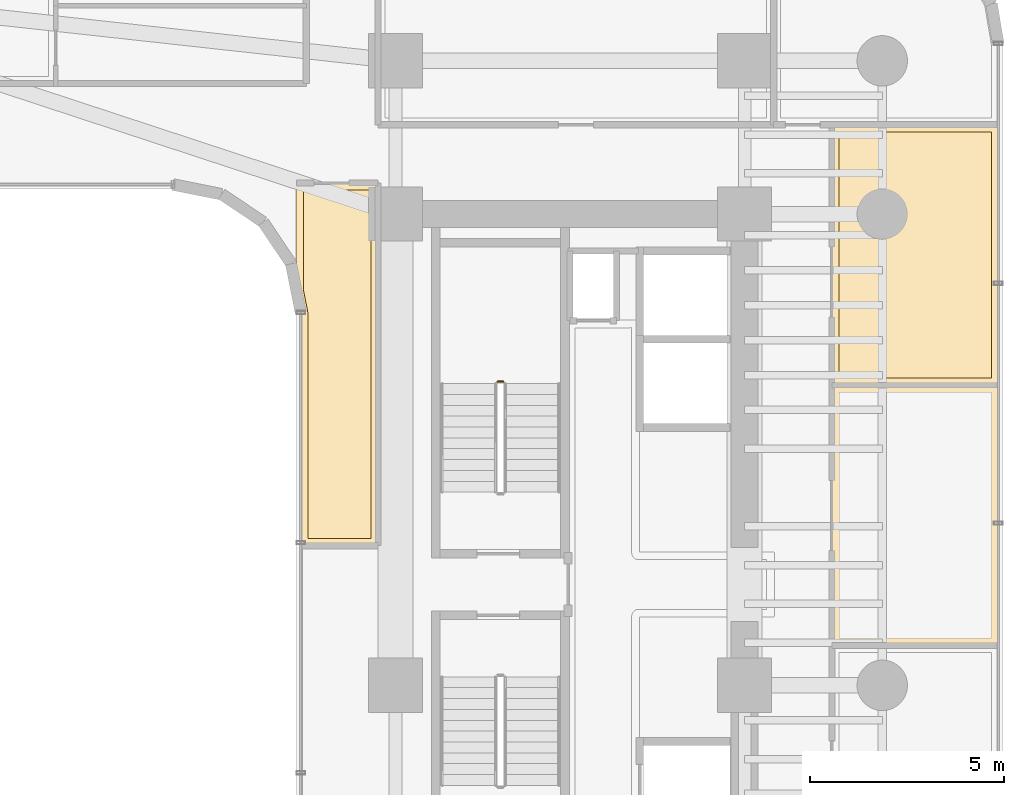
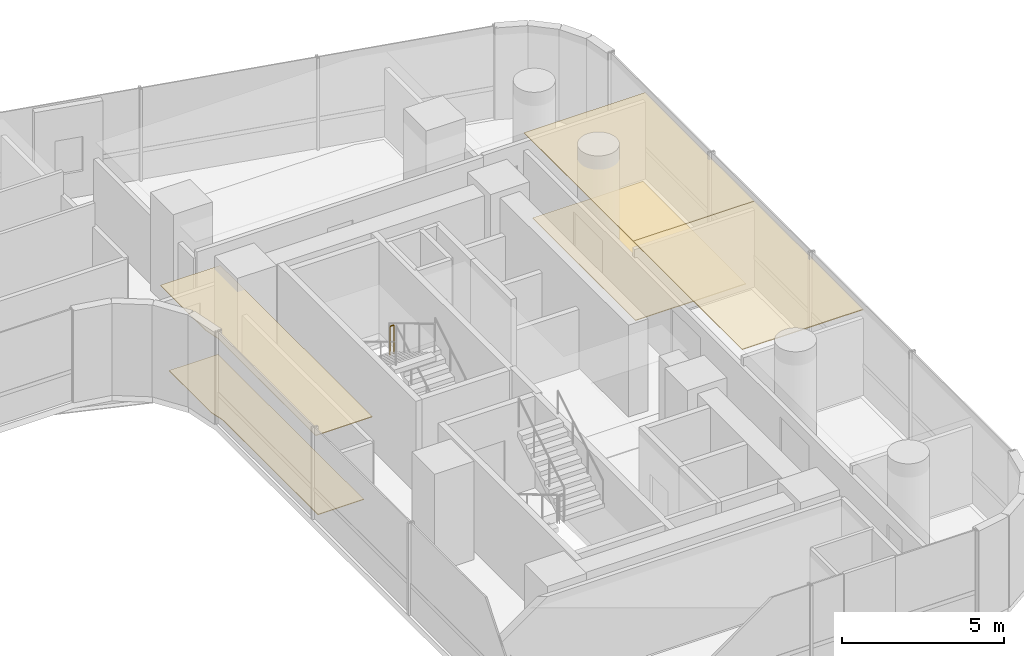
# One storey, part 38 of 40: 5 coverings, 1 railing.
"""IFC4 building model written with IfcOpenShell, lengths in metres."""

from ifc_helpers import new_model, si_unit, direction, frame, origin, origin_2d, place, context, subcontext, project, spatial, polyline, circle, outline, extrude, material, layer, layer_set, type_object, element, save


model = new_model("IFC4")

# Units and contexts
model_context = context("Model", 3, precision=1e-05, world=origin(), true_north=direction((0.0, 1.0)))
body_context = subcontext(model_context, "Body", "Model", "MODEL_VIEW")
ifc_project = project(units=[si_unit("LENGTHUNIT", "METRE"), si_unit("AREAUNIT", "SQUARE_METRE"), si_unit("VOLUMEUNIT", "CUBIC_METRE"), si_unit("PLANEANGLEUNIT", "RADIAN"), si_unit("MASSUNIT", "GRAM", prefix="KILO")], contexts=[model_context])

# Site, building, storey
site_placement = place(None, origin())
site = spatial("IfcSite", under=ifc_project, at=site_placement, CompositionType="ELEMENT")
building_placement = place(site_placement, origin())
building = spatial("IfcBuilding", under=site, at=building_placement, Name="Valdorenza Pilgrim Sanctuary Tower", CompositionType="ELEMENT")
storey_placement = place(building_placement, frame((0.0, 0.0, 44.5)))
storey = spatial("IfcBuildingStorey", under=building, at=storey_placement, Name="L10", CompositionType="ELEMENT", Elevation=44.5)

# Coverings
ifc_material_1 = material(Name="Micro-perforated acoustic mineral ceiling tile", Category="gypsum")
ifc_layer_1 = layer(ifc_material_1, 0.02490234375, Name="Micro-perforated acoustic mineral ceiling tile")
ifc_layer_set_1 = layer_set([ifc_layer_1], Name="Micro-perforated acoustic mineral ceiling tile")
covering_type_1 = type_object("IfcCoveringType", Name="COV-CLG-ACU", PredefinedType="CEILING", material=ifc_layer_set_1)
covering_1_placement = place(storey_placement, frame((0.0, 0.0, 3.159912109375)))
element("IfcCovering", 1, at=covering_1_placement, inside=storey, type_object=covering_type_1, Name="L10 East Reading Lounge L10-EB3 Acoustic Ceiling", PredefinedType="CEILING", context=body_context, shape_type="SweptSolid", body=[
    extrude(outline(polyline([(27.0849609375, 5.137451171875), (27.085205078125, 5.138916015625), (27.085205078125, 5.140380859375), (27.085693359375, 5.141845703125), (27.086181640625, 5.143310546875), (27.0869140625, 5.14453125), (27.08740234375, 5.145751953125), (27.08837890625, 5.14697265625), (27.08935546875, 5.148193359375), (27.090576171875, 5.149169921875), (27.091796875, 5.14990234375), (27.093017578125, 5.150634765625), (27.09423828125, 5.1513671875), (27.095703125, 5.15185546875), (27.09716796875, 5.152099609375), (27.098388671875, 5.15234375), (27.10009765625, 5.152587890625), (31.389892578125, 5.152587890625), (31.3916015625, 5.15234375), (31.392822265625, 5.152099609375), (31.394287109375, 5.15185546875), (31.395751953125, 5.1513671875), (31.397216796875, 5.150634765625), (31.398193359375, 5.14990234375), (31.3994140625, 5.149169921875), (31.400634765625, 5.148193359375), (31.401611328125, 5.14697265625), (31.402587890625, 5.145751953125), (31.4033203125, 5.14453125), (31.40380859375, 5.143310546875), (31.404296875, 5.141845703125), (31.40478515625, 5.140380859375), (31.40478515625, 5.138916015625), (31.405029296875, 5.137451171875), (31.405029296875, -1.572998046875), (31.40478515625, -1.574462890625), (31.40478515625, -1.575927734375), (31.404296875, -1.577392578125), (31.40380859375, -1.57861328125), (31.4033203125, -1.580078125), (31.402587890625, -1.581298828125), (31.401611328125, -1.58251953125), (31.400634765625, -1.58349609375), (31.3994140625, -1.584716796875), (31.398193359375, -1.58544921875), (31.397216796875, -1.586181640625), (31.395751953125, -1.5869140625), (31.394287109375, -1.58740234375), (31.392822265625, -1.587646484375), (31.3916015625, -1.587890625), (31.389892578125, -1.587890625), (27.10009765625, -1.587890625), (27.098388671875, -1.587890625), (27.09716796875, -1.587646484375), (27.095703125, -1.58740234375), (27.09423828125, -1.5869140625), (27.093017578125, -1.586181640625), (27.091796875, -1.58544921875), (27.090576171875, -1.584716796875), (27.08935546875, -1.58349609375), (27.08837890625, -1.58251953125), (27.08740234375, -1.581298828125), (27.0869140625, -1.580078125), (27.086181640625, -1.57861328125), (27.085693359375, -1.577392578125), (27.085205078125, -1.575927734375), (27.085205078125, -1.574462890625), (27.0849609375, -1.572998046875), (27.0849609375, 5.137451171875)])), origin(), (0.0, 0.0, 1.0), 0.025146484375),
])
covering_2_placement = place(storey_placement, frame((0.0, 0.0, 3.159912109375)))
element("IfcCovering", 2, at=covering_2_placement, inside=storey, type_object=covering_type_1, Name="L10 East Reading Lounge L10-EB4 Acoustic Ceiling", PredefinedType="CEILING", context=body_context, shape_type="SweptSolid", body=[
    extrude(outline(polyline([(27.0849609375, 11.847900390625), (27.085205078125, 11.849609375), (27.085205078125, 11.850830078125), (27.085693359375, 11.852294921875), (27.086181640625, 11.853759765625), (27.0869140625, 11.85498046875), (27.08740234375, 11.856201171875), (27.08837890625, 11.857421875), (27.08935546875, 11.858642578125), (27.090576171875, 11.859619140625), (27.091796875, 11.860595703125), (27.093017578125, 11.861083984375), (27.09423828125, 11.86181640625), (27.095703125, 11.8623046875), (27.09716796875, 11.86279296875), (27.098388671875, 11.86279296875), (27.10009765625, 11.863037109375), (31.389892578125, 11.863037109375), (31.3916015625, 11.86279296875), (31.392822265625, 11.86279296875), (31.394287109375, 11.8623046875), (31.395751953125, 11.86181640625), (31.397216796875, 11.861083984375), (31.398193359375, 11.860595703125), (31.3994140625, 11.859619140625), (31.400634765625, 11.858642578125), (31.401611328125, 11.857421875), (31.402587890625, 11.856201171875), (31.4033203125, 11.85498046875), (31.40380859375, 11.853759765625), (31.404296875, 11.852294921875), (31.40478515625, 11.850830078125), (31.40478515625, 11.849609375), (31.405029296875, 11.847900390625), (31.405029296875, 5.139404296875), (31.40478515625, 5.137939453125), (31.40478515625, 5.13671875), (31.404296875, 5.135009765625), (31.40380859375, 5.1337890625), (31.4033203125, 5.13232421875), (31.402587890625, 5.131103515625), (31.401611328125, 5.1298828125), (31.400634765625, 5.12890625), (31.3994140625, 5.1279296875), (31.398193359375, 5.126953125), (31.397216796875, 5.126220703125), (31.395751953125, 5.12548828125), (31.394287109375, 5.125), (31.392822265625, 5.124755859375), (31.3916015625, 5.12451171875), (31.389892578125, 5.12451171875), (27.10009765625, 5.12451171875), (27.098388671875, 5.12451171875), (27.09716796875, 5.124755859375), (27.095703125, 5.125), (27.09423828125, 5.12548828125), (27.093017578125, 5.126220703125), (27.091796875, 5.126953125), (27.090576171875, 5.1279296875), (27.08935546875, 5.12890625), (27.08837890625, 5.1298828125), (27.08740234375, 5.131103515625), (27.0869140625, 5.13232421875), (27.086181640625, 5.1337890625), (27.085693359375, 5.135009765625), (27.085205078125, 5.13671875), (27.085205078125, 5.137939453125), (27.0849609375, 5.139404296875), (27.0849609375, 11.847900390625)])), origin(), (0.0, 0.0, 1.0), 0.025146484375),
])
covering_3_placement = place(storey_placement, frame((0.0, 0.0, 3.159912109375)))
element("IfcCovering", 3, at=covering_3_placement, inside=storey, type_object=covering_type_1, Name="L10 Courtyard Overlook Salon L10 Acoustic Ceiling", PredefinedType="CEILING", context=body_context, shape_type="SweptSolid", body=[
    extrude(outline(polyline([(15.39990234375, 10.364990234375), (15.401611328125, 10.364990234375), (15.40283203125, 10.36474609375), (15.404296875, 10.364501953125), (15.40576171875, 10.364013671875), (15.406982421875, 10.36328125), (15.408203125, 10.362548828125), (15.409423828125, 10.361572265625), (15.41064453125, 10.360595703125), (15.41162109375, 10.359619140625), (15.41259765625, 10.3583984375), (15.4130859375, 10.357177734375), (15.413818359375, 10.355712890625), (15.414306640625, 10.3544921875), (15.414794921875, 10.352783203125), (15.414794921875, 10.3515625), (15.4150390625, 10.35009765625), (15.4150390625, 1.0), (15.414794921875, 0.99853515625), (15.414794921875, 0.9970703125), (15.414306640625, 0.99560546875), (15.413818359375, 0.994384765625), (15.4130859375, 0.992919921875), (15.41259765625, 0.99169921875), (15.41162109375, 0.990478515625), (15.41064453125, 0.989501953125), (15.409423828125, 0.98828125), (15.408203125, 0.987548828125), (15.406982421875, 0.98681640625), (15.40576171875, 0.986083984375), (15.404296875, 0.985595703125), (15.40283203125, 0.9853515625), (15.401611328125, 0.985107421875), (15.39990234375, 0.985107421875), (13.409912109375, 0.985107421875), (13.408447265625, 0.985107421875), (13.406982421875, 0.9853515625), (13.405517578125, 0.985595703125), (13.404296875, 0.986083984375), (13.40283203125, 0.98681640625), (13.401611328125, 0.987548828125), (13.400390625, 0.98828125), (13.3994140625, 0.989501953125), (13.3984375, 0.990478515625), (13.3974609375, 0.99169921875), (13.396728515625, 0.992919921875), (13.39599609375, 0.994384765625), (13.3955078125, 0.99560546875), (13.395263671875, 0.9970703125), (13.39501953125, 0.99853515625), (13.39501953125, 1.0), (13.39501953125, 6.99951171875), (13.39453125, 7.00927734375), (13.39306640625, 7.018798828125), (13.285400390625, 7.560791015625), (13.28515625, 7.562255859375), (13.284912109375, 7.563720703125), (13.284912109375, 10.35009765625), (13.28515625, 10.3515625), (13.285400390625, 10.352783203125), (13.28564453125, 10.3544921875), (13.2861328125, 10.355712890625), (13.286865234375, 10.357177734375), (13.28759765625, 10.3583984375), (13.288330078125, 10.359619140625), (13.289306640625, 10.360595703125), (13.29052734375, 10.361572265625), (13.291748046875, 10.362548828125), (13.29296875, 10.36328125), (13.294189453125, 10.364013671875), (13.295654296875, 10.364501953125), (13.297119140625, 10.36474609375), (13.298583984375, 10.364990234375), (13.300048828125, 10.364990234375), (15.39990234375, 10.364990234375)])), origin(), (0.0, 0.0, 1.0), 0.025146484375),
])
ifc_material_2 = material(Name="Honed travertine stone flooring", Category="masonry")
ifc_layer_2 = layer(ifc_material_2, 0.030029296875, Name="Honed travertine stone flooring")
ifc_layer_set_2 = layer_set([ifc_layer_2], Name="Honed travertine stone flooring")
covering_type_2 = type_object("IfcCoveringType", Name="COV-FLR-TRV", PredefinedType="FLOORING", material=ifc_layer_set_2)
covering_4_placement = place(storey_placement, origin())
element("IfcCovering", 4, at=covering_4_placement, inside=storey, type_object=covering_type_2, Name="L10 East Reading Lounge L10-EB4 Flooring", PredefinedType="FLOORING", context=body_context, shape_type="SweptSolid", body=[
    extrude(outline(polyline([(27.280029296875, 11.66796875), (31.2099609375, 11.66796875), (31.2099609375, 5.319580078125), (27.280029296875, 5.319580078125), (27.280029296875, 11.66796875)])), origin(), (0.0, 0.0, 1.0), 0.02490234375),
])
covering_5_placement = place(storey_placement, origin())
element("IfcCovering", 5, at=covering_5_placement, inside=storey, type_object=covering_type_2, Name="L10 Courtyard Overlook Salon L10 Flooring", PredefinedType="FLOORING", context=body_context, shape_type="SweptSolid", body=[
    extrude(outline(polyline([(15.219970703125, 10.169921875), (15.219970703125, 1.179931640625), (13.590087890625, 1.179931640625), (13.590087890625, 7.0), (13.58984375, 7.0087890625), (13.58935546875, 7.01953125), (13.58740234375, 7.037109375), (13.5859375, 7.0478515625), (13.58447265625, 7.056640625), (13.47998046875, 7.58154296875), (13.47998046875, 10.169921875), (15.219970703125, 10.169921875)])), origin(), (0.0, 0.0, 1.0), 0.02490234375),
])

# Railing
ifc_material_3 = material(Name="Stainless steel Grade 316", Category="steel")
railing_type = type_object("IfcRailingType", Name="RLG-GRD-1120", PredefinedType="GUARDRAIL", material=ifc_material_3)
railing_placement = place(storey_placement, frame((18.6298828125, 5.22998046875, 1.85009765625)))
element("IfcRailing", 6, at=railing_placement, inside=storey, type_object=railing_type, Name="L10 ST-B1 stair guard 2", PredefinedType="GUARDRAIL", context=body_context, shape_type="SweptSolid", body=[
    extrude(circle(Radius=0.02392578125, at=origin_2d()), frame((0.0, 0.0, 1.076171875), z_axis=(-1.0, 0.0, 0.0), x_axis=(0.0, -1.0, 0.0)), (0.0, 0.0, 1.0), 0.14990234375),
    extrude(circle(Radius=0.02099609375, at=origin_2d()), origin(), (0.0, 0.0, 1.0), 1.052001953125),
    extrude(circle(Radius=0.02099609375, at=origin_2d()), frame((-0.14990234375, 0.0, 0.0)), (0.0, 0.0, 1.0), 1.052001953125),
])

save(model, "model.ifc")
